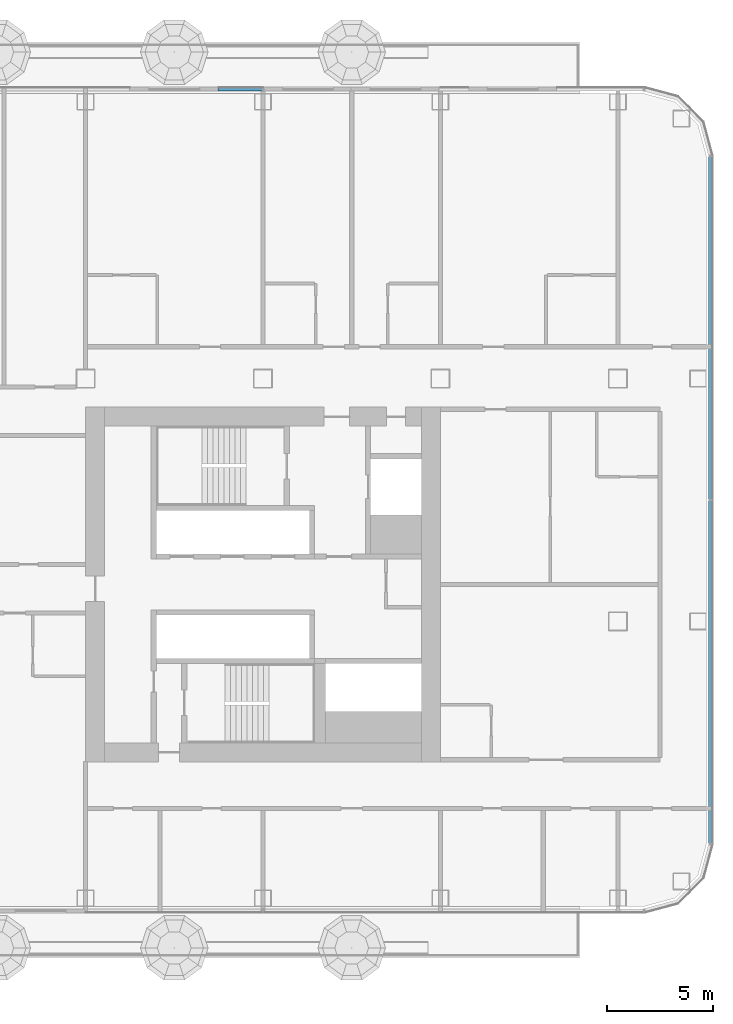
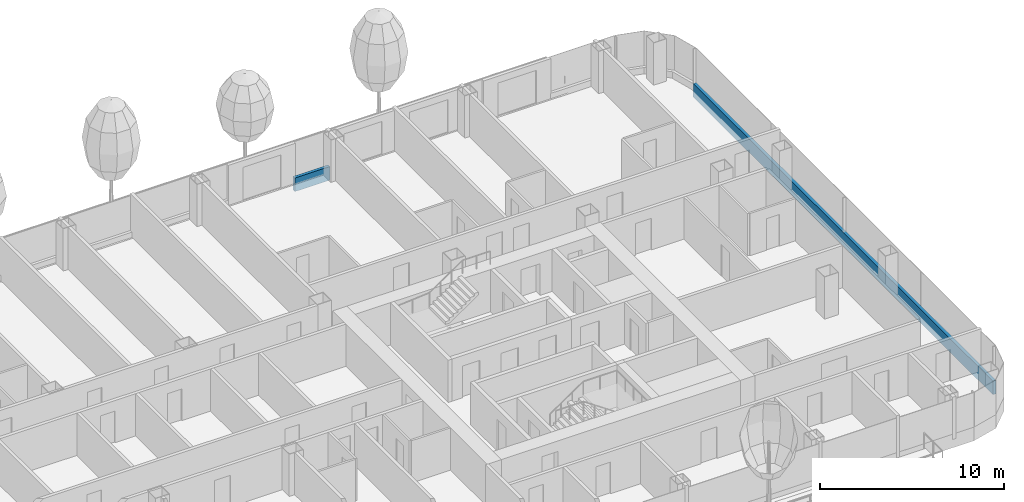
# One storey, part 8 of 33: 2 members, 2 elements without a shape of their own.
"""IFC4 building model written with IfcOpenShell, lengths in metres."""

from ifc_helpers import new_model, si_unit, direction, frame, origin, origin_2d, place, context, subcontext, project, spatial, rectangle, extrude, material, layer, layer_set, material_profile, profile_set, type_object, element, aggregate, save


model = new_model("IFC4")

# Units and contexts
model_context = context("Model", 3, precision=1e-05, world=origin(), true_north=direction((0.0, 1.0)))
body_context = subcontext(model_context, "Body", "Model", "MODEL_VIEW")
ifc_project = project(units=[si_unit("LENGTHUNIT", "METRE"), si_unit("AREAUNIT", "SQUARE_METRE"), si_unit("VOLUMEUNIT", "CUBIC_METRE"), si_unit("PLANEANGLEUNIT", "RADIAN"), si_unit("MASSUNIT", "GRAM", prefix="KILO")], contexts=[model_context])

# Site, building, storey
site_placement = place(None, origin())
site = spatial("IfcSite", under=ifc_project, at=site_placement, CompositionType="ELEMENT")
building_placement = place(site_placement, origin())
building = spatial("IfcBuilding", under=site, at=building_placement, Name="Hakoniwa Tower and Hamabe Station Hall", CompositionType="ELEMENT")
storey_placement = place(building_placement, frame((0.0, 0.0, 81.800048828125)))
storey = spatial("IfcBuildingStorey", under=building, at=storey_placement, Name="L22", CompositionType="ELEMENT", Elevation=81.800048828125)

# Curtain wall, member
ifc_material_1 = material(Name="Dark low-e laminated glass", Category="glass")
ifc_layer = layer(ifc_material_1, 0.199951171875)
ifc_layer_set = layer_set([ifc_layer], Name="CW-1 UNITISED GUEST")
curtain_wall_type = type_object("IfcCurtainWallType", Name="CW-1 UNITISED GUEST", PredefinedType="NOTDEFINED", material=ifc_layer_set)
curtain_wall_1_placement = place(storey_placement, origin())
curtain_wall_1 = element("IfcCurtainWall", 1, at=curtain_wall_1_placement, inside=storey, type_object=curtain_wall_type, Name="CW-1 curtain wall", PredefinedType="NOTDEFINED")
ifc_material_2 = material(Name="Aluminium 6063-T5 black anodised", Category="aluminium")
ifc_material_profile = material_profile(ifc_material_2, rectangle(XDim=0.199951171875, YDim=0.89990234375, at=origin_2d()), Name="CW SLAB-EDGE BAND 900X200")
ifc_profile_set = profile_set([ifc_material_profile], Name="Aluminium 6063-T5 black anodised")
member_type = type_object("IfcMemberType", Name="CW SLAB-EDGE BAND 900X200", PredefinedType="USERDEFINED", material=ifc_profile_set)
member_1_placement = place(storey_placement, frame((46.39990234375, -12.28955078125, -0.10009765625), z_axis=(0.0, 1.0, 0.0), x_axis=(-1.0, 0.0, 0.0)))
member_1 = element("IfcMember", 2, at=member_1_placement, type_object=member_type, Name="CW-1 transom", ObjectType="TRANSOM", PredefinedType="USERDEFINED", context=body_context, shape_type="SweptSolid", body=[
    extrude(rectangle(XDim=0.199951171875, YDim=0.89990234375, at=origin_2d()), origin(), (0.0, 0.0, 1.0), 32.5791015625),
])
aggregate(curtain_wall_1, [member_1])

curtain_wall_2_placement = place(storey_placement, origin())
curtain_wall_2 = element("IfcCurtainWall", 3, at=curtain_wall_2_placement, inside=storey, type_object=curtain_wall_type, Name="CW-1 curtain wall", PredefinedType="NOTDEFINED")
member_2_placement = place(storey_placement, frame((25.260009765625, 23.449951171875, -0.10009765625), z_axis=(-1.0, 0.0, 0.0), x_axis=(0.0, -1.0, 0.0)))
member_2 = element("IfcMember", 4, at=member_2_placement, type_object=member_type, Name="CW-1 transom", ObjectType="TRANSOM", PredefinedType="USERDEFINED", context=body_context, shape_type="SweptSolid", body=[
    extrude(rectangle(XDim=0.199951171875, YDim=0.89990234375, at=origin_2d()), origin(), (0.0, 0.0, 1.0), 2.18994140625),
])
aggregate(curtain_wall_2, [member_2])

save(model, "model.ifc")
